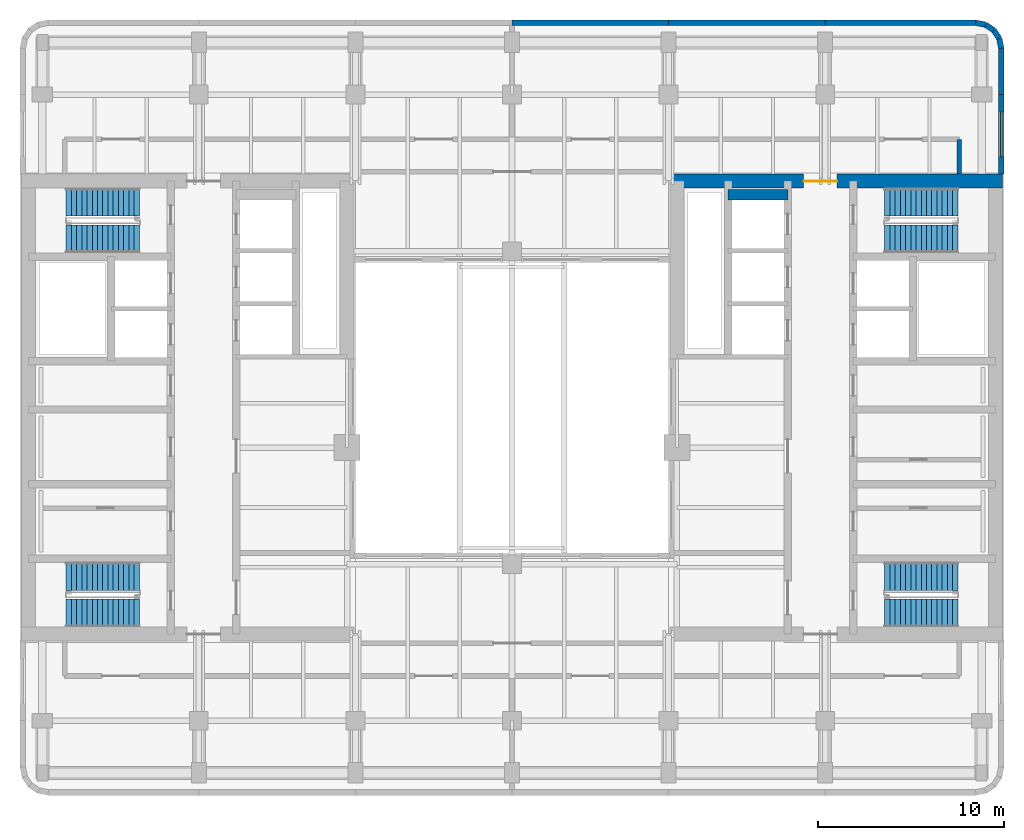
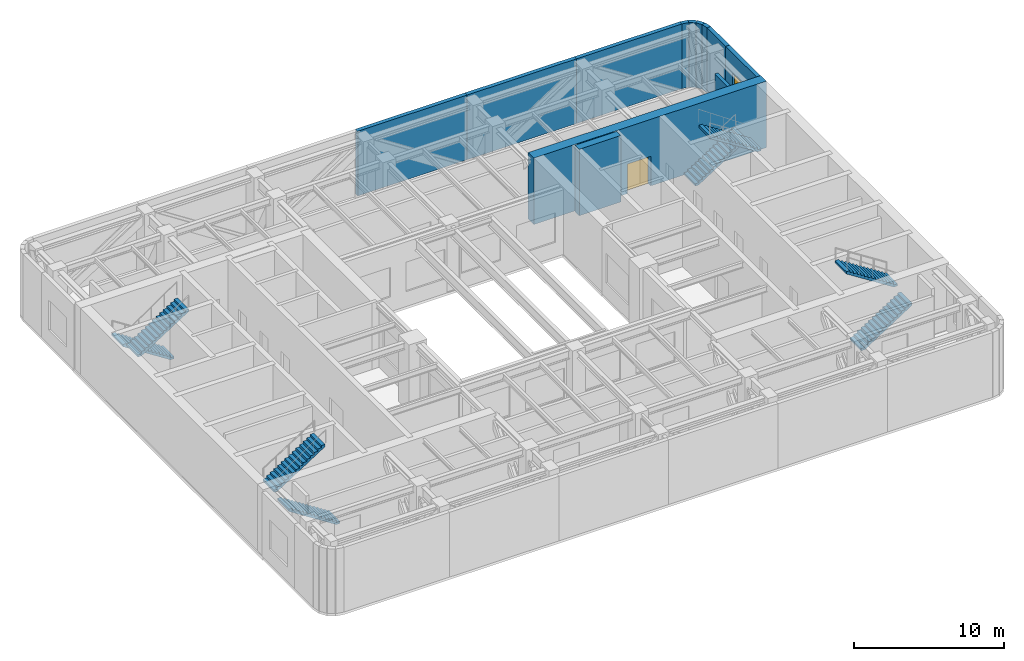
# One storey, part 7 of 10: 12 walls, 8 stair flights, 1 door, 1 window, 2 openings, 4 elements without a shape of their own.
"""IFC4 building model written with IfcOpenShell, lengths in metres."""

import ifcopenshell
import ifcopenshell.guid

model = None  # the IFC model being written
_history = None  # IfcOwnerHistory: only IFC2X3 demands one
_inside = {}  # id of a spatial element -> (the spatial element, [elements in it])
_under = {}  # id of a project, library or spatial element -> (it, [spatial elements below it])
_declared = {}  # id of a project -> (the project, [libraries it declares])
_typed = {}  # id of a type object -> (the type object, [elements of that type])
_made_of = {}  # id of a material, layer set ... -> (it, [elements and type objects made of it])


def new_model(schema):
    """Start an empty IFC model of exactly this schema.

    Asked for "IFC4X3", IfcOpenShell would pick the latest addendum, in which some entities
    have other attributes; the version numbers below select the first issue.
    IFC2X3 requires an IfcOwnerHistory on every rooted entity: one is made here for all.
    """
    global model, _history
    if schema == "IFC4X3":
        model = ifcopenshell.file(schema_version=(4, 3, 0, 0))
    else:
        model = ifcopenshell.file(schema=schema)
    _inside.clear()
    _under.clear()
    _declared.clear()
    _typed.clear()
    _made_of.clear()
    _history = None
    if model.schema == "IFC2X3":
        org = make("IfcOrganization", Name="unknown")
        user = make(
            "IfcPersonAndOrganization",
            ThePerson=make("IfcPerson", FamilyName="unknown"),
            TheOrganization=org,
        )
        app = make(
            "IfcApplication",
            ApplicationDeveloper=org,
            Version="unknown",
            ApplicationFullName="unknown",
            ApplicationIdentifier="unknown",
        )
        _history = make(
            "IfcOwnerHistory",
            OwningUser=user,
            OwningApplication=app,
            ChangeAction="ADDED",
            CreationDate=0,
        )
    return model


def make(cls, **values):
    """One entity of the class cls with the attributes given. An attribute that is None is left unset."""
    return model.create_entity(
        cls, **{name: value for name, value in values.items() if value is not None}
    )


def rooted(cls, **values):
    """An entity with a GlobalId (a new one), such as an element, a storey or a relation."""
    return make(cls, GlobalId=ifcopenshell.guid.new(), OwnerHistory=_history, **values)


def si_unit(unit_type, name, prefix=None):
    """IfcSIUnit, for example si_unit("LENGTHUNIT", "METRE", prefix="MILLI")."""
    return make("IfcSIUnit", UnitType=unit_type, Prefix=prefix, Name=name)


def assignment(units):
    """IfcUnitAssignment: the units of a project."""
    return None if units is None else make("IfcUnitAssignment", Units=units)


def point(xyz):
    """IfcCartesianPoint."""
    return None if xyz is None else make("IfcCartesianPoint", Coordinates=xyz)


def direction(xyz):
    """IfcDirection."""
    return None if xyz is None else make("IfcDirection", DirectionRatios=xyz)


def frame(location, z_axis=None, x_axis=None):
    """IfcAxis2Placement3D, a coordinate frame: its origin and axes. An axis left out is left unset."""
    return make(
        "IfcAxis2Placement3D",
        Location=point(location),
        Axis=direction(z_axis),
        RefDirection=direction(x_axis),
    )


def frame_2d(location, x_axis=None):
    """IfcAxis2Placement2D, a coordinate frame in the plane: its origin and x axis."""
    return make(
        "IfcAxis2Placement2D", Location=point(location), RefDirection=direction(x_axis)
    )


def origin():
    """The frame at (0, 0, 0) with its axes left unset."""
    return frame((0.0, 0.0, 0.0))


def place(relative_to, where):
    """IfcLocalPlacement: puts the frame where relative to a parent placement (None: the world)."""
    return make(
        "IfcLocalPlacement", PlacementRelTo=relative_to, RelativePlacement=where
    )


def context(
    kind, dimensions, precision=None, world=None, true_north=None, identifier=None
):
    """IfcGeometricRepresentationContext, for example the 3D "Model" context."""
    return make(
        "IfcGeometricRepresentationContext",
        ContextIdentifier=identifier,
        ContextType=kind,
        CoordinateSpaceDimension=dimensions,
        Precision=precision,
        WorldCoordinateSystem=world,
        TrueNorth=true_north,
    )


def subcontext(parent, identifier, kind, view, scale=None):
    """IfcGeometricRepresentationSubContext, for example "Body" below "Model"."""
    return make(
        "IfcGeometricRepresentationSubContext",
        ContextIdentifier=identifier,
        ContextType=kind,
        ParentContext=parent,
        TargetScale=scale,
        TargetView=view,
    )


def project(units=None, contexts=None):
    """IfcProject with its units and contexts."""
    return rooted(
        "IfcProject",
        Name="project",
        RepresentationContexts=contexts,
        UnitsInContext=assignment(units),
    )


def spatial(cls, under=None, at=None, **own):
    """A site, building, storey or space (cls), placed at a placement, below another one or the project."""
    s = rooted(cls, ObjectPlacement=at, **own)
    if under is not None:
        _under.setdefault(under.id(), (under, []))[1].append(s)
    return s


def polyline(points):
    """IfcPolyline through the points."""
    return make("IfcPolyline", Points=[point(p) for p in points])


def profile(cls, at=None, kind="AREA", **sizes):
    """A parametric profile (cls). Its sizes go by their IFC names, for example OverallWidth=200.0."""
    return make(cls, ProfileType=kind, Position=at, **sizes)


def rectangle(**sizes):
    """IfcRectangleProfileDef."""
    return profile("IfcRectangleProfileDef", **sizes)


def outline(outer, holes=None, kind="AREA"):
    """IfcArbitraryClosedProfileDef: a profile drawn as a closed curve; with holes, ...WithVoids."""
    if holes is None:
        return make("IfcArbitraryClosedProfileDef", ProfileType=kind, OuterCurve=outer)
    return make(
        "IfcArbitraryProfileDefWithVoids",
        ProfileType=kind,
        OuterCurve=outer,
        InnerCurves=holes,
    )


def extrude(swept, where, along, depth):
    """IfcExtrudedAreaSolid: the profile swept, set in the frame where, extruded along a direction by depth."""
    return make(
        "IfcExtrudedAreaSolid",
        SweptArea=swept,
        Position=where,
        ExtrudedDirection=direction(along),
        Depth=depth,
    )


def shape(context_of_items, identifier, shape_type, items):
    """IfcShapeRepresentation: the items that make up one representation, for example the "Body"."""
    return make(
        "IfcShapeRepresentation",
        ContextOfItems=context_of_items,
        RepresentationIdentifier=identifier,
        RepresentationType=shape_type,
        Items=items,
    )


def material(Name=None, Category=None):
    """IfcMaterial."""
    return make("IfcMaterial", Name=Name, Category=Category)


def layer(
    of_material, thickness, ventilated=None, Name=None, Category=None, Priority=None
):
    """IfcMaterialLayer: one layer of a wall or slab, of a material (None: an air gap)."""
    return make(
        "IfcMaterialLayer",
        Material=of_material,
        LayerThickness=thickness,
        IsVentilated=ventilated,
        Name=Name,
        Category=Category,
        Priority=Priority,
    )


def layer_set(layers, Name=None):
    """IfcMaterialLayerSet."""
    return make("IfcMaterialLayerSet", MaterialLayers=layers, LayerSetName=Name)


def made_of(thing, what):
    """Note that an element or type object is made of a material, layer set ...; save() writes the relation."""
    if what is not None:
        _made_of.setdefault(what.id(), (what, []))[1].append(thing)
    return thing


def type_object(cls, material=None, **own):
    """A type object (cls), such as IfcWallType, which elements share."""
    return made_of(rooted(cls, **own), material)


def element(
    cls,
    number,
    at=None,
    inside=None,
    cuts=None,
    type_object=None,
    material=None,
    context=None,
    identifier="Body",
    shape_type=None,
    held_by="IfcProductDefinitionShape",
    body=None,
    shapes=None,
    **own,
):
    """One element of the class cls, such as IfcWall. Its Tag is "e" and its number.

    at: its placement. inside: the storey or other place that contains it. cuts: it is an
    opening in that element (IfcRelVoidsElement). A single representation is given by context,
    identifier, shape_type and body (its items); several are given by shapes. held_by: the class
    of the entity that holds the representations. save() writes the other relations.
    """
    e = rooted(cls, Tag="e%d" % number, ObjectPlacement=at, **own)
    if body is not None:
        shapes = [shape(context, identifier, shape_type, body)]
    if shapes is not None:
        e.Representation = make(held_by, Representations=shapes)
    if inside is not None:
        _inside.setdefault(inside.id(), (inside, []))[1].append(e)
    if cuts is not None:
        rooted(
            "IfcRelVoidsElement", RelatingBuildingElement=cuts, RelatedOpeningElement=e
        )
    if type_object is not None:
        _typed.setdefault(type_object.id(), (type_object, []))[1].append(e)
    return made_of(e, material)


def fill(opening, filler):
    """IfcRelFillsElement: the door or window that sits in an opening."""
    return rooted(
        "IfcRelFillsElement",
        RelatingOpeningElement=opening,
        RelatedBuildingElement=filler,
    )


def aggregate(whole, parts):
    """IfcRelAggregates: a whole, such as a stair, and the parts it consists of."""
    return rooted("IfcRelAggregates", RelatingObject=whole, RelatedObjects=parts)


def save(model, path):
    """Write the relations noted so far, then the file.

    IfcRelAggregates (storeys below a building ...), IfcRelContainedInSpatialStructure (elements
    in a storey), IfcRelDefinesByType, IfcRelAssociatesMaterial and IfcRelDeclares: one each for
    every whole, place, type object, material and project.
    """
    for whole, parts in _under.values():
        aggregate(whole, parts)
    for where, things in _inside.values():
        rooted(
            "IfcRelContainedInSpatialStructure",
            RelatedElements=things,
            RelatingStructure=where,
        )
    for kind, things in _typed.values():
        rooted("IfcRelDefinesByType", RelatedObjects=things, RelatingType=kind)
    for what, things in _made_of.values():
        rooted("IfcRelAssociatesMaterial", RelatedObjects=things, RelatingMaterial=what)
    for by, libraries in _declared.values():
        rooted("IfcRelDeclares", RelatingContext=by, RelatedDefinitions=libraries)
    model.write(path)


model = new_model("IFC4")

# Units and contexts
model_context = context("Model", 3, precision=1e-05, world=origin(), true_north=direction((0.0, 1.0)))
body_context = subcontext(model_context, "Body", "Model", "MODEL_VIEW")
ifc_project = project(units=[si_unit("LENGTHUNIT", "METRE"), si_unit("AREAUNIT", "SQUARE_METRE"), si_unit("VOLUMEUNIT", "CUBIC_METRE"), si_unit("PLANEANGLEUNIT", "RADIAN"), si_unit("MASSUNIT", "GRAM", prefix="KILO")], contexts=[model_context])

# Site, building, storey
site_placement = place(None, origin())
site = spatial("IfcSite", under=ifc_project, at=site_placement, CompositionType="ELEMENT")
building_placement = place(site_placement, origin())
building = spatial("IfcBuilding", under=site, at=building_placement, Name="Claustro Exchange Tower", CompositionType="ELEMENT")
storey_placement = place(building_placement, frame((0.0, 0.0, 244.800048828125)))
storey = spatial("IfcBuildingStorey", under=building, at=storey_placement, Name="L56", CompositionType="ELEMENT", Elevation=244.800048828125)

# Walls
ifc_material_1 = material(Name="Concrete blockwork, rendered", Category="masonry")
ifc_layer_1 = layer(ifc_material_1, 0.25)
ifc_layer_set_1 = layer_set([ifc_layer_1], Name="Concrete blockwork, rendered")
wall_type_1 = type_object("IfcWallType", Name="P4 250 blockwork wall", PredefinedType="PARTITIONING", material=ifc_layer_set_1)
wall_1_placement = place(storey_placement, frame((49.199951171875, 37.72412109375, 0.0), z_axis=(0.0, 0.0, 1.0), x_axis=(0.0, 1.0, 0.0)))
element("IfcWall", 1, at=wall_1_placement, inside=storey, type_object=wall_type_1, Name="Partition P4 L56", PredefinedType="PARTITIONING", context=body_context, shape_type="SweptSolid", body=[
    extrude(rectangle(XDim=1.8759765625, YDim=0.25, at=frame_2d((0.93798828125, 0.0))), origin(), (0.0, 0.0, 1.0), 5.25),
])
ifc_material_2 = material(Name="Concrete HA-40 (C40/50), precast, white cement, acid-etched", Category="concrete")
ifc_layer_2 = layer(ifc_material_2, 0.300048828125)
ifc_layer_set_2 = layer_set([ifc_layer_2], Name="Concrete HA-40 (C40/50), precast, white cement, acid-etched")
wall_type_2 = type_object("IfcWallType", Name="PC1 300 precast concrete pier panel", PredefinedType="SOLIDWALL", material=ifc_layer_set_2)
wall_2_placement = place(storey_placement, frame((25.199951171875, 45.85009765625, 0.0), z_axis=(0.0, 0.0, 1.0), x_axis=(1.0, 0.0, 0.0)))
element("IfcWall", 2, at=wall_2_placement, inside=storey, type_object=wall_type_2, Name="Precast pier panel PC1 L56", PredefinedType="SOLIDWALL", context=body_context, shape_type="SweptSolid", body=[
    extrude(rectangle(XDim=8.400146484375, YDim=0.300048828125, at=frame_2d((4.2001953125, 0.0))), origin(), (0.0, 0.0, 1.0), 5.25),
])
wall_3_placement = place(storey_placement, frame((33.60009765625, 45.85009765625, 0.0), z_axis=(0.0, 0.0, 1.0), x_axis=(1.0, 0.0, 0.0)))
element("IfcWall", 3, at=wall_3_placement, inside=storey, type_object=wall_type_2, Name="Precast pier panel PC1 L56", PredefinedType="SOLIDWALL", context=body_context, shape_type="SweptSolid", body=[
    extrude(rectangle(XDim=8.39990234375, YDim=0.300048828125, at=frame_2d((4.199951171875, 0.0))), origin(), (0.0, 0.0, 1.0), 5.25),
])
wall_4_placement = place(storey_placement, frame((42.0, 45.85009765625, 0.0), z_axis=(0.0, 0.0, 1.0), x_axis=(1.0, 0.0, 0.0)))
element("IfcWall", 4, at=wall_4_placement, inside=storey, type_object=wall_type_2, Name="Precast pier panel PC1 L56", PredefinedType="SOLIDWALL", context=body_context, shape_type="SweptSolid", body=[
    extrude(rectangle(XDim=8.085205078125, YDim=0.300048828125, at=frame_2d((4.04248046875, 0.0))), origin(), (0.0, 0.0, 1.0), 5.25),
])
wall_5_placement = place(storey_placement, frame((50.085205078125, 45.85009765625, 0.0), z_axis=(0.0, 0.0, 1.0), x_axis=(0.980702050465, -0.1955082817, 0.0)))
element("IfcWall", 5, at=wall_5_placement, inside=storey, type_object=wall_type_2, Name="Precast pier panel PC1 L56", PredefinedType="SOLIDWALL", context=body_context, shape_type="SweptSolid", body=[
    extrude(rectangle(XDim=0.540771484375, YDim=0.300048828125, at=frame_2d((0.2705078125, 0.0))), origin(), (0.0, 0.0, 1.0), 5.25),
])
wall_6_placement = place(storey_placement, frame((50.615478515625, 45.744384765625, 0.0), z_axis=(0.0, 0.0, 1.0), x_axis=(0.831692711774, -0.555236195849, 0.0)))
element("IfcWall", 6, at=wall_6_placement, inside=storey, type_object=wall_type_2, Name="Precast pier panel PC1 L56", PredefinedType="SOLIDWALL", context=body_context, shape_type="SweptSolid", body=[
    extrude(rectangle(XDim=0.525390625, YDim=0.300048828125, at=frame_2d((0.2626953125, 0.0))), origin(), (0.0, 0.0, 1.0), 5.25),
])
wall_7_placement = place(storey_placement, frame((51.052490234375, 45.45263671875, 0.0), z_axis=(0.0, 0.0, 1.0), x_axis=(0.55534295404, -0.831621430339, 0.0)))
element("IfcWall", 7, at=wall_7_placement, inside=storey, type_object=wall_type_2, Name="Precast pier panel PC1 L56", PredefinedType="SOLIDWALL", context=body_context, shape_type="SweptSolid", body=[
    extrude(rectangle(XDim=0.52587890625, YDim=0.300048828125, at=frame_2d((0.262939453125, 0.0))), origin(), (0.0, 0.0, 1.0), 5.25),
])
wall_8_placement = place(storey_placement, frame((51.344482421875, 45.015380859375, 0.0), z_axis=(0.0, 0.0, 1.0), x_axis=(0.195073962632, -0.980788534345, 0.0)))
element("IfcWall", 8, at=wall_8_placement, inside=storey, type_object=wall_type_2, Name="Precast pier panel PC1 L56", PredefinedType="SOLIDWALL", context=body_context, shape_type="SweptSolid", body=[
    extrude(rectangle(XDim=0.540771484375, YDim=0.300048828125, at=frame_2d((0.2705078125, 0.0))), origin(), (0.0, 0.0, 1.0), 5.25),
])
wall_9_placement = place(storey_placement, frame((51.449951171875, 44.485107421875, 0.0), z_axis=(0.0, 0.0, 1.0), x_axis=(0.0, -1.0, 0.0)))
element("IfcWall", 9, at=wall_9_placement, inside=storey, type_object=wall_type_2, Name="Precast pier panel PC1 L56", PredefinedType="SOLIDWALL", context=body_context, shape_type="SweptSolid", body=[
    extrude(rectangle(XDim=2.485107421875, YDim=0.300048828125, at=frame_2d((1.24267578125, 0.0))), origin(), (0.0, 0.0, 1.0), 5.25),
])

# Wall, opening, window
wall_10_placement = place(storey_placement, frame((51.449951171875, 42.0, 0.0), z_axis=(0.0, 0.0, 1.0), x_axis=(0.0, -1.0, 0.0)))
wall_10 = element("IfcWall", 10, at=wall_10_placement, inside=storey, type_object=wall_type_2, Name="Precast pier panel PC1 L56", PredefinedType="SOLIDWALL", context=body_context, shape_type="SweptSolid", body=[
    extrude(rectangle(XDim=4.27490234375, YDim=0.300048828125, at=frame_2d((2.137451171875, 0.0))), origin(), (0.0, 0.0, 1.0), 5.25),
])
opening_1_placement = place(wall_10_placement, frame((0.9375, 0.0, 1.199951171875)))
opening_1 = element("IfcOpeningElement", 11, at=opening_1_placement, cuts=wall_10, Name="Opening L2", PredefinedType="OPENING", context=body_context, shape_type="SweptSolid", body=[
    extrude(rectangle(XDim=2.39990234375, YDim=2.39990234375, at=frame_2d((1.199951171875, 1.199951171875))), frame((0.0, 0.159912109375, 0.0), z_axis=(0.0, -1.0, 0.0), x_axis=(1.0, 0.0, 0.0)), (0.0, 0.0, 1.0), 0.320068359375),
])
ifc_material_3 = material(Name="Aluminium louvre blades", Category="aluminium")
window_type = type_object("IfcWindowType", Name="L2 2400 x 2400 plant louvre", PartitioningType="SINGLE_PANEL", PredefinedType="USERDEFINED", material=ifc_material_3)
window_placement = place(opening_1_placement, origin())
window = element("IfcWindow", 12, at=window_placement, inside=storey, type_object=window_type, Name="Plant louvre L2 L56", ObjectType="LOUVRE", OverallHeight=2.39990234375, OverallWidth=2.39990234375, PartitioningType="SINGLE_PANEL", PredefinedType="USERDEFINED", context=body_context, shape_type="SweptSolid", body=[
    extrude(rectangle(XDim=2.39990234375, YDim=2.39990234375, at=frame_2d((1.199951171875, 1.199951171875))), frame((0.0, 0.030029296875, 0.0), z_axis=(0.0, -1.0, 0.0), x_axis=(1.0, 0.0, 0.0)), (0.0, 0.0, 1.0), 0.06005859375),
])
fill(opening_1, window)

# Wall, opening, door
ifc_material_4 = material(Name="Concrete HA-70 (C70/85)", Category="concrete")
ifc_layer_3 = layer(ifc_material_4, 0.75)
ifc_layer_set_3 = layer_set([ifc_layer_3], Name="Concrete HA-70 (C70/85)")
wall_type_3 = type_object("IfcWallType", Name="SW2 750 core shear wall", PredefinedType="SHEAR", material=ifc_layer_set_3)
wall_11_placement = place(storey_placement, frame((33.675048828125, 37.35009765625, 0.0), z_axis=(0.0, 0.0, 1.0), x_axis=(1.0, 0.0, 0.0)))
wall_11 = element("IfcWall", 13, at=wall_11_placement, inside=storey, type_object=wall_type_3, Name="Core wall SW2 E core N face L56", PredefinedType="SHEAR", context=body_context, shape_type="SweptSolid", body=[
    extrude(rectangle(XDim=17.849853515625, YDim=0.75, at=frame_2d((8.9248046875, 0.0))), origin(), (0.0, 0.0, 1.0), 5.39990234375),
])
opening_2_placement = place(wall_11_placement, frame((7.175048828125, 0.0, 0.0)))
opening_2 = element("IfcOpeningElement", 14, at=opening_2_placement, cuts=wall_11, Name="Opening D3", PredefinedType="OPENING", context=body_context, shape_type="SweptSolid", body=[
    extrude(rectangle(XDim=1.800048828125, YDim=2.39990234375, at=frame_2d((0.89990234375, 1.199951171875))), frame((0.0, 0.385009765625, 0.0), z_axis=(0.0, -1.0, 0.0), x_axis=(1.0, 0.0, 0.0)), (0.0, 0.0, 1.0), 0.77001953125),
])
ifc_material_5 = material(Name="Steel fire door, painted", Category="steel")
door_type = type_object("IfcDoorType", Name="D3 1800 x 2400 fire-rated lobby double door", OperationType="DOUBLE_DOOR_SINGLE_SWING", PredefinedType="DOOR", material=ifc_material_5)
door_placement = place(opening_2_placement, frame((1.800048828125, 0.0, 0.0), z_axis=(0.0, 0.0, 1.0), x_axis=(-1.0, 0.0, 0.0)))
door = element("IfcDoor", 15, at=door_placement, inside=storey, type_object=door_type, Name="Lift lobby door D3 L56", OperationType="DOUBLE_DOOR_SINGLE_SWING", OverallHeight=2.39990234375, OverallWidth=1.800048828125, PredefinedType="DOOR", context=body_context, shape_type="SweptSolid", body=[
    extrude(rectangle(XDim=1.800048828125, YDim=2.39990234375, at=frame_2d((0.89990234375, 1.199951171875))), frame((0.0, 0.02490234375, 0.0), z_axis=(0.0, -1.0, 0.0), x_axis=(1.0, 0.0, 0.0)), (0.0, 0.0, 1.0), 0.050048828125),
])
fill(opening_2, door)

# Wall
ifc_material_6 = material(Name="Concrete HA-50 (C50/60)", Category="concrete")
ifc_layer_4 = layer(ifc_material_6, 0.550048828125)
ifc_layer_set_4 = layer_set([ifc_layer_4], Name="Concrete HA-50 (C50/60)")
wall_type_4 = type_object("IfcWallType", Name="SW6 550 lift shaft end wall", PredefinedType="SHEAR", material=ifc_layer_set_4)
wall_12_placement = place(storey_placement, frame((40.0, 36.625, 0.0), z_axis=(0.0, 0.0, 1.0), x_axis=(-1.0, 0.0, 0.0)))
element("IfcWall", 16, at=wall_12_placement, inside=storey, type_object=wall_type_4, Name="Lift shaft wall E core L56", PredefinedType="SHEAR", context=body_context, shape_type="SweptSolid", body=[
    extrude(rectangle(XDim=3.199951171875, YDim=0.550048828125, at=frame_2d((1.60009765625, 0.0))), origin(), (0.0, 0.0, 1.0), 5.39990234375),
])

# Stair, stair flights
ifc_material_7 = material(Name="Concrete HA-30 (C30/37), precast", Category="concrete")
stair_type = type_object("IfcStairType", Name="ST3 half-turn stair, 30 risers of 180", PredefinedType="HALF_TURN_STAIR", material=ifc_material_7)
stair_1_placement = place(storey_placement, origin())
stair_1 = element("IfcStair", 17, at=stair_1_placement, inside=storey, type_object=stair_type, Name="Stair STWA L56", PredefinedType="HALF_TURN_STAIR")
ifc_material_8 = material(Name="Concrete HA-30 (C30/37), precast", Category="concrete")
stair_flight_type = type_object("IfcStairFlightType", Name="SF15 straight flight, 15 risers of 180, 1500 wide", PredefinedType="STRAIGHT", material=ifc_material_8)
stair_flight_1_placement = place(storey_placement, frame((5.199951171875, 14.175048828125, 0.0), z_axis=(0.0, 0.0, 1.0), x_axis=(-1.0, 0.0, 0.0)))
stair_flight_1 = element("IfcStairFlight", 18, at=stair_flight_1_placement, type_object=stair_flight_type, Name="STWA flight 1", NumberOfRisers=15, NumberOfTreads=14, PredefinedType="STRAIGHT", RiserHeight=0.18, TreadLength=0.28, context=body_context, shape_type="SweptSolid", body=[
    extrude(outline(polyline([(0.0, 0.0), (0.0, 0.179931640625), (0.280029296875, 0.179931640625), (0.280029296875, 0.360107421875), (0.56005859375, 0.360107421875), (0.56005859375, 0.5400390625), (0.840087890625, 0.5400390625), (0.840087890625, 0.719970703125), (1.1201171875, 0.719970703125), (1.1201171875, 0.89990234375), (1.39990234375, 0.89990234375), (1.39990234375, 1.080078125), (1.679931640625, 1.080078125), (1.679931640625, 1.260009765625), (1.9599609375, 1.260009765625), (1.9599609375, 1.43994140625), (2.239990234375, 1.43994140625), (2.239990234375, 1.6201171875), (2.52001953125, 1.6201171875), (2.52001953125, 1.800048828125), (2.800048828125, 1.800048828125), (2.800048828125, 1.97998046875), (3.080078125, 1.97998046875), (3.080078125, 2.159912109375), (3.360107421875, 2.159912109375), (3.360107421875, 2.340087890625), (3.639892578125, 2.340087890625), (3.639892578125, 2.52001953125), (3.919921875, 2.52001953125), (3.919921875, 2.699951171875), (3.919921875, 2.341796875), (0.277099609375, 0.0), (0.0, 0.0)])), frame((0.0, 0.75, 0.0), z_axis=(0.0, -1.0, 0.0), x_axis=(1.0, 0.0, 0.0)), (0.0, 0.0, 1.0), 1.5),
])
stair_flight_2_placement = place(storey_placement, frame((1.280029296875, 16.14990234375, 2.699951171875), z_axis=(0.0, 0.0, 1.0), x_axis=(1.0, 0.0, 0.0)))
stair_flight_2 = element("IfcStairFlight", 19, at=stair_flight_2_placement, type_object=stair_flight_type, Name="STWA flight 2", NumberOfRisers=15, NumberOfTreads=14, PredefinedType="STRAIGHT", RiserHeight=0.18, TreadLength=0.28, context=body_context, shape_type="SweptSolid", body=[
    extrude(outline(polyline([(0.0, 0.0), (0.0, 0.179931640625), (0.280029296875, 0.179931640625), (0.280029296875, 0.360107421875), (0.56005859375, 0.360107421875), (0.56005859375, 0.5400390625), (0.840087890625, 0.5400390625), (0.840087890625, 0.719970703125), (1.1201171875, 0.719970703125), (1.1201171875, 0.89990234375), (1.39990234375, 0.89990234375), (1.39990234375, 1.080078125), (1.679931640625, 1.080078125), (1.679931640625, 1.260009765625), (1.9599609375, 1.260009765625), (1.9599609375, 1.43994140625), (2.239990234375, 1.43994140625), (2.239990234375, 1.6201171875), (2.52001953125, 1.6201171875), (2.52001953125, 1.800048828125), (2.800048828125, 1.800048828125), (2.800048828125, 1.97998046875), (3.080078125, 1.97998046875), (3.080078125, 2.159912109375), (3.360107421875, 2.159912109375), (3.360107421875, 2.340087890625), (3.639892578125, 2.340087890625), (3.639892578125, 2.52001953125), (3.919921875, 2.52001953125), (3.919921875, 2.699951171875), (3.919921875, 2.341796875), (0.277099609375, 0.0), (0.0, 0.0)])), frame((0.0, 0.75, 0.0), z_axis=(0.0, -1.0, 0.0), x_axis=(1.0, 0.0, 0.0)), (0.0, 0.0, 1.0), 1.5),
])
aggregate(stair_1, [stair_flight_1, stair_flight_2])

stair_2_placement = place(storey_placement, origin())
stair_2 = element("IfcStair", 20, at=stair_2_placement, inside=storey, type_object=stair_type, Name="Stair STWB L56", PredefinedType="HALF_TURN_STAIR")
stair_flight_3_placement = place(storey_placement, frame((5.199951171875, 36.22509765625, 0.0), z_axis=(0.0, 0.0, 1.0), x_axis=(-1.0, 0.0, 0.0)))
stair_flight_3 = element("IfcStairFlight", 21, at=stair_flight_3_placement, type_object=stair_flight_type, Name="STWB flight 1", NumberOfRisers=15, NumberOfTreads=14, PredefinedType="STRAIGHT", RiserHeight=0.18, TreadLength=0.28, context=body_context, shape_type="SweptSolid", body=[
    extrude(outline(polyline([(0.0, 0.0), (0.0, 0.179931640625), (0.280029296875, 0.179931640625), (0.280029296875, 0.360107421875), (0.56005859375, 0.360107421875), (0.56005859375, 0.5400390625), (0.840087890625, 0.5400390625), (0.840087890625, 0.719970703125), (1.1201171875, 0.719970703125), (1.1201171875, 0.89990234375), (1.39990234375, 0.89990234375), (1.39990234375, 1.080078125), (1.679931640625, 1.080078125), (1.679931640625, 1.260009765625), (1.9599609375, 1.260009765625), (1.9599609375, 1.43994140625), (2.239990234375, 1.43994140625), (2.239990234375, 1.6201171875), (2.52001953125, 1.6201171875), (2.52001953125, 1.800048828125), (2.800048828125, 1.800048828125), (2.800048828125, 1.97998046875), (3.080078125, 1.97998046875), (3.080078125, 2.159912109375), (3.360107421875, 2.159912109375), (3.360107421875, 2.340087890625), (3.639892578125, 2.340087890625), (3.639892578125, 2.52001953125), (3.919921875, 2.52001953125), (3.919921875, 2.699951171875), (3.919921875, 2.341796875), (0.277099609375, 0.0), (0.0, 0.0)])), frame((0.0, 0.75, 0.0), z_axis=(0.0, -1.0, 0.0), x_axis=(1.0, 0.0, 0.0)), (0.0, 0.0, 1.0), 1.5),
])
stair_flight_4_placement = place(storey_placement, frame((1.280029296875, 34.25, 2.699951171875), z_axis=(0.0, 0.0, 1.0), x_axis=(1.0, 0.0, 0.0)))
stair_flight_4 = element("IfcStairFlight", 22, at=stair_flight_4_placement, type_object=stair_flight_type, Name="STWB flight 2", NumberOfRisers=15, NumberOfTreads=14, PredefinedType="STRAIGHT", RiserHeight=0.18, TreadLength=0.28, context=body_context, shape_type="SweptSolid", body=[
    extrude(outline(polyline([(0.0, 0.0), (0.0, 0.179931640625), (0.280029296875, 0.179931640625), (0.280029296875, 0.360107421875), (0.56005859375, 0.360107421875), (0.56005859375, 0.5400390625), (0.840087890625, 0.5400390625), (0.840087890625, 0.719970703125), (1.1201171875, 0.719970703125), (1.1201171875, 0.89990234375), (1.39990234375, 0.89990234375), (1.39990234375, 1.080078125), (1.679931640625, 1.080078125), (1.679931640625, 1.260009765625), (1.9599609375, 1.260009765625), (1.9599609375, 1.43994140625), (2.239990234375, 1.43994140625), (2.239990234375, 1.6201171875), (2.52001953125, 1.6201171875), (2.52001953125, 1.800048828125), (2.800048828125, 1.800048828125), (2.800048828125, 1.97998046875), (3.080078125, 1.97998046875), (3.080078125, 2.159912109375), (3.360107421875, 2.159912109375), (3.360107421875, 2.340087890625), (3.639892578125, 2.340087890625), (3.639892578125, 2.52001953125), (3.919921875, 2.52001953125), (3.919921875, 2.699951171875), (3.919921875, 2.341796875), (0.277099609375, 0.0), (0.0, 0.0)])), frame((0.0, 0.75, 0.0), z_axis=(0.0, -1.0, 0.0), x_axis=(1.0, 0.0, 0.0)), (0.0, 0.0, 1.0), 1.5),
])
aggregate(stair_2, [stair_flight_3, stair_flight_4])

stair_3_placement = place(storey_placement, origin())
stair_3 = element("IfcStair", 23, at=stair_3_placement, inside=storey, type_object=stair_type, Name="Stair STEA L56", PredefinedType="HALF_TURN_STAIR")
stair_flight_5_placement = place(storey_placement, frame((45.199951171875, 14.175048828125, 0.0), z_axis=(0.0, 0.0, 1.0), x_axis=(1.0, 0.0, 0.0)))
stair_flight_5 = element("IfcStairFlight", 24, at=stair_flight_5_placement, type_object=stair_flight_type, Name="STEA flight 1", NumberOfRisers=15, NumberOfTreads=14, PredefinedType="STRAIGHT", RiserHeight=0.18, TreadLength=0.28, context=body_context, shape_type="SweptSolid", body=[
    extrude(outline(polyline([(0.0, 0.0), (0.0, 0.179931640625), (0.280029296875, 0.179931640625), (0.280029296875, 0.360107421875), (0.56005859375, 0.360107421875), (0.56005859375, 0.5400390625), (0.840087890625, 0.5400390625), (0.840087890625, 0.719970703125), (1.1201171875, 0.719970703125), (1.1201171875, 0.89990234375), (1.39990234375, 0.89990234375), (1.39990234375, 1.080078125), (1.679931640625, 1.080078125), (1.679931640625, 1.260009765625), (1.9599609375, 1.260009765625), (1.9599609375, 1.43994140625), (2.239990234375, 1.43994140625), (2.239990234375, 1.6201171875), (2.52001953125, 1.6201171875), (2.52001953125, 1.800048828125), (2.800048828125, 1.800048828125), (2.800048828125, 1.97998046875), (3.080078125, 1.97998046875), (3.080078125, 2.159912109375), (3.360107421875, 2.159912109375), (3.360107421875, 2.340087890625), (3.639892578125, 2.340087890625), (3.639892578125, 2.52001953125), (3.919921875, 2.52001953125), (3.919921875, 2.699951171875), (3.919921875, 2.341796875), (0.277099609375, 0.0), (0.0, 0.0)])), frame((0.0, 0.75, 0.0), z_axis=(0.0, -1.0, 0.0), x_axis=(1.0, 0.0, 0.0)), (0.0, 0.0, 1.0), 1.5),
])
stair_flight_6_placement = place(storey_placement, frame((49.1201171875, 16.14990234375, 2.699951171875), z_axis=(0.0, 0.0, 1.0), x_axis=(-1.0, 0.0, 0.0)))
stair_flight_6 = element("IfcStairFlight", 25, at=stair_flight_6_placement, type_object=stair_flight_type, Name="STEA flight 2", NumberOfRisers=15, NumberOfTreads=14, PredefinedType="STRAIGHT", RiserHeight=0.18, TreadLength=0.28, context=body_context, shape_type="SweptSolid", body=[
    extrude(outline(polyline([(0.0, 0.0), (0.0, 0.179931640625), (0.280029296875, 0.179931640625), (0.280029296875, 0.360107421875), (0.56005859375, 0.360107421875), (0.56005859375, 0.5400390625), (0.840087890625, 0.5400390625), (0.840087890625, 0.719970703125), (1.1201171875, 0.719970703125), (1.1201171875, 0.89990234375), (1.39990234375, 0.89990234375), (1.39990234375, 1.080078125), (1.679931640625, 1.080078125), (1.679931640625, 1.260009765625), (1.9599609375, 1.260009765625), (1.9599609375, 1.43994140625), (2.239990234375, 1.43994140625), (2.239990234375, 1.6201171875), (2.52001953125, 1.6201171875), (2.52001953125, 1.800048828125), (2.800048828125, 1.800048828125), (2.800048828125, 1.97998046875), (3.080078125, 1.97998046875), (3.080078125, 2.159912109375), (3.360107421875, 2.159912109375), (3.360107421875, 2.340087890625), (3.639892578125, 2.340087890625), (3.639892578125, 2.52001953125), (3.919921875, 2.52001953125), (3.919921875, 2.699951171875), (3.919921875, 2.341796875), (0.277099609375, 0.0), (0.0, 0.0)])), frame((0.0, 0.75, 0.0), z_axis=(0.0, -1.0, 0.0), x_axis=(1.0, 0.0, 0.0)), (0.0, 0.0, 1.0), 1.5),
])
aggregate(stair_3, [stair_flight_5, stair_flight_6])

stair_4_placement = place(storey_placement, origin())
stair_4 = element("IfcStair", 26, at=stair_4_placement, inside=storey, type_object=stair_type, Name="Stair STEB L56", PredefinedType="HALF_TURN_STAIR")
stair_flight_7_placement = place(storey_placement, frame((45.199951171875, 36.22509765625, 0.0), z_axis=(0.0, 0.0, 1.0), x_axis=(1.0, 0.0, 0.0)))
stair_flight_7 = element("IfcStairFlight", 27, at=stair_flight_7_placement, type_object=stair_flight_type, Name="STEB flight 1", NumberOfRisers=15, NumberOfTreads=14, PredefinedType="STRAIGHT", RiserHeight=0.18, TreadLength=0.28, context=body_context, shape_type="SweptSolid", body=[
    extrude(outline(polyline([(0.0, 0.0), (0.0, 0.179931640625), (0.280029296875, 0.179931640625), (0.280029296875, 0.360107421875), (0.56005859375, 0.360107421875), (0.56005859375, 0.5400390625), (0.840087890625, 0.5400390625), (0.840087890625, 0.719970703125), (1.1201171875, 0.719970703125), (1.1201171875, 0.89990234375), (1.39990234375, 0.89990234375), (1.39990234375, 1.080078125), (1.679931640625, 1.080078125), (1.679931640625, 1.260009765625), (1.9599609375, 1.260009765625), (1.9599609375, 1.43994140625), (2.239990234375, 1.43994140625), (2.239990234375, 1.6201171875), (2.52001953125, 1.6201171875), (2.52001953125, 1.800048828125), (2.800048828125, 1.800048828125), (2.800048828125, 1.97998046875), (3.080078125, 1.97998046875), (3.080078125, 2.159912109375), (3.360107421875, 2.159912109375), (3.360107421875, 2.340087890625), (3.639892578125, 2.340087890625), (3.639892578125, 2.52001953125), (3.919921875, 2.52001953125), (3.919921875, 2.699951171875), (3.919921875, 2.341796875), (0.277099609375, 0.0), (0.0, 0.0)])), frame((0.0, 0.75, 0.0), z_axis=(0.0, -1.0, 0.0), x_axis=(1.0, 0.0, 0.0)), (0.0, 0.0, 1.0), 1.5),
])
stair_flight_8_placement = place(storey_placement, frame((49.1201171875, 34.25, 2.699951171875), z_axis=(0.0, 0.0, 1.0), x_axis=(-1.0, 0.0, 0.0)))
stair_flight_8 = element("IfcStairFlight", 28, at=stair_flight_8_placement, type_object=stair_flight_type, Name="STEB flight 2", NumberOfRisers=15, NumberOfTreads=14, PredefinedType="STRAIGHT", RiserHeight=0.18, TreadLength=0.28, context=body_context, shape_type="SweptSolid", body=[
    extrude(outline(polyline([(0.0, 0.0), (0.0, 0.179931640625), (0.280029296875, 0.179931640625), (0.280029296875, 0.360107421875), (0.56005859375, 0.360107421875), (0.56005859375, 0.5400390625), (0.840087890625, 0.5400390625), (0.840087890625, 0.719970703125), (1.1201171875, 0.719970703125), (1.1201171875, 0.89990234375), (1.39990234375, 0.89990234375), (1.39990234375, 1.080078125), (1.679931640625, 1.080078125), (1.679931640625, 1.260009765625), (1.9599609375, 1.260009765625), (1.9599609375, 1.43994140625), (2.239990234375, 1.43994140625), (2.239990234375, 1.6201171875), (2.52001953125, 1.6201171875), (2.52001953125, 1.800048828125), (2.800048828125, 1.800048828125), (2.800048828125, 1.97998046875), (3.080078125, 1.97998046875), (3.080078125, 2.159912109375), (3.360107421875, 2.159912109375), (3.360107421875, 2.340087890625), (3.639892578125, 2.340087890625), (3.639892578125, 2.52001953125), (3.919921875, 2.52001953125), (3.919921875, 2.699951171875), (3.919921875, 2.341796875), (0.277099609375, 0.0), (0.0, 0.0)])), frame((0.0, 0.75, 0.0), z_axis=(0.0, -1.0, 0.0), x_axis=(1.0, 0.0, 0.0)), (0.0, 0.0, 1.0), 1.5),
])
aggregate(stair_4, [stair_flight_7, stair_flight_8])

save(model, "model.ifc")
